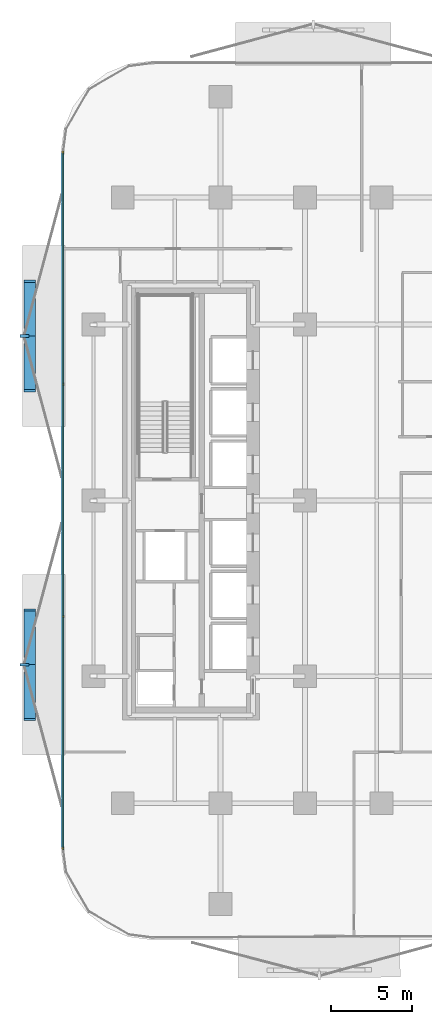
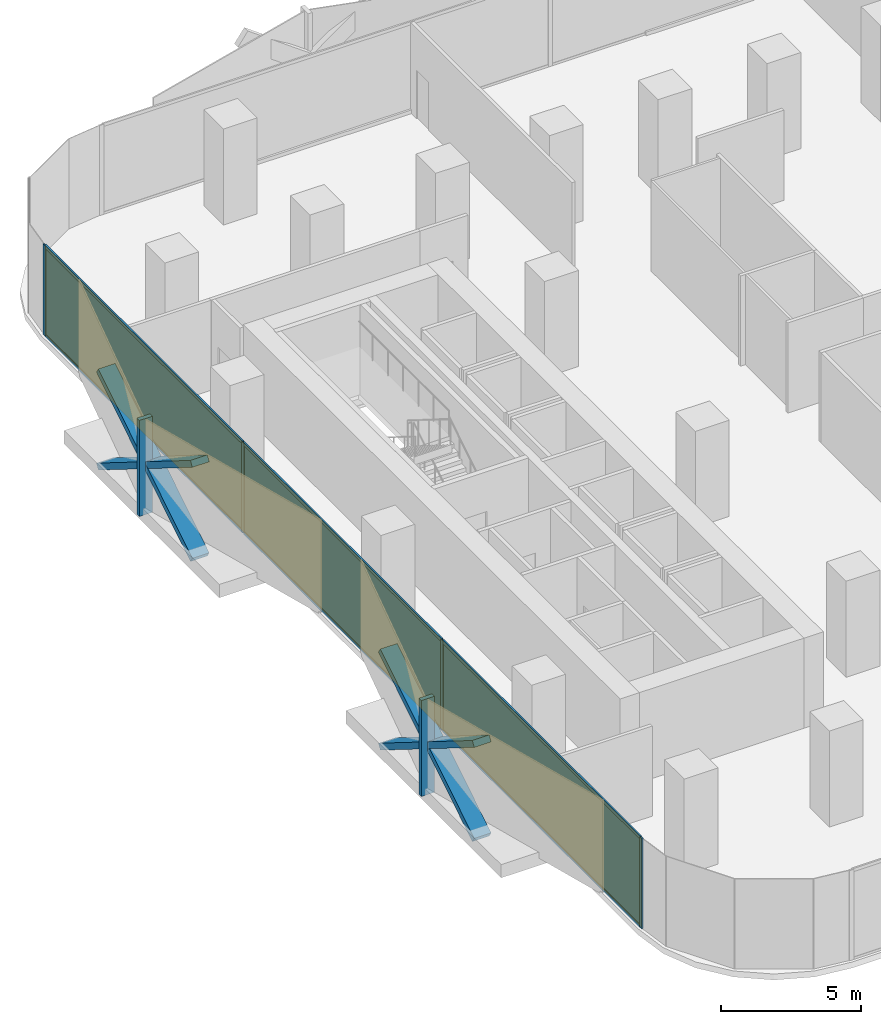
# One storey, part 9 of 16: 16 members, 3 plates, 1 curtain wall.
"""IFC4 building model written with IfcOpenShell, lengths in metres."""

from ifc_helpers import new_model, si_unit, direction, frame, frame_2d, origin, origin_2d, place, context, subcontext, project, spatial, rectangle, extrude, material, layer, layer_set, material_profile, profile_set, type_object, element, aggregate, save


model = new_model("IFC4")

# Units and contexts
model_context = context("Model", 3, precision=1e-05, world=origin(), true_north=direction((0.0, 1.0)))
body_context = subcontext(model_context, "Body", "Model", "MODEL_VIEW")
ifc_project = project(units=[si_unit("LENGTHUNIT", "METRE"), si_unit("AREAUNIT", "SQUARE_METRE"), si_unit("VOLUMEUNIT", "CUBIC_METRE"), si_unit("PLANEANGLEUNIT", "RADIAN"), si_unit("MASSUNIT", "GRAM", prefix="KILO")], contexts=[model_context])

# Member
ifc_material_1 = material(Name="Anodised Bronze Aluminium 6063-T6", Category="aluminium")
ifc_material_profile_1 = material_profile(ifc_material_1, rectangle(XDim=0.260009765625, YDim=0.699951171875, at=origin_2d()))
ifc_profile_set_1 = profile_set([ifc_material_profile_1], Name="Anodised Bronze Aluminium 6063-T6")
member_type_1 = type_object("IfcMemberType", Name="Bronze Diamond Solar-Screen Lattice Rib BDL-700", PredefinedType="MULLION", material=ifc_profile_set_1)
site_placement = place(None, origin())
building_placement = place(site_placement, origin())
storey_placement = place(building_placement, frame((0.0, 0.0, 42.800048828125)))
member_1_placement = place(storey_placement, frame((-26.10009765625, -13.46044921875, -0.130126953125), z_axis=(0.0, 0.84834908091, 0.529437283273), x_axis=(0.0, -0.529437283273, 0.84834908091)))
member_1 = element("IfcMember", 1, at=member_1_placement, type_object=member_type_1, Name="L10 Bronze Diamond Solar Screen Lattice Rib 35A", PredefinedType="MULLION", context=body_context, shape_type="SweptSolid", body=[
    extrude(rectangle(XDim=0.260009765625, YDim=0.699951171875, at=origin_2d()), origin(), (0.0, 0.0, 1.0), 7.933349609375),
])

member_2_placement = place(storey_placement, frame((-26.10009765625, -6.730224609375, -0.130126953125), z_axis=(0.0, -0.84834908091, 0.529437283273), x_axis=(0.0, 0.529437283273, 0.84834908091)))
member_2 = element("IfcMember", 2, at=member_2_placement, type_object=member_type_1, Name="L10 Bronze Diamond Solar Screen Lattice Rib 35B", PredefinedType="MULLION", context=body_context, shape_type="SweptSolid", body=[
    extrude(rectangle(XDim=0.260009765625, YDim=0.699951171875, at=origin_2d()), origin(), (0.0, 0.0, 1.0), 7.933349609375),
])

member_3_placement = place(storey_placement, frame((-26.10009765625, 6.730224609375, -0.130126953125), z_axis=(0.0, 0.84834908091, 0.529437283273), x_axis=(0.0, -0.529437283273, 0.84834908091)))
member_3 = element("IfcMember", 3, at=member_3_placement, type_object=member_type_1, Name="L10 Bronze Diamond Solar Screen Lattice Rib 36A", PredefinedType="MULLION", context=body_context, shape_type="SweptSolid", body=[
    extrude(rectangle(XDim=0.260009765625, YDim=0.699951171875, at=origin_2d()), origin(), (0.0, 0.0, 1.0), 7.933349609375),
])

member_4_placement = place(storey_placement, frame((-26.10009765625, 13.46044921875, -0.130126953125), z_axis=(0.0, -0.84834908091, 0.529437283273), x_axis=(0.0, 0.529437283273, 0.84834908091)))
member_4 = element("IfcMember", 4, at=member_4_placement, type_object=member_type_1, Name="L10 Bronze Diamond Solar Screen Lattice Rib 36B", PredefinedType="MULLION", context=body_context, shape_type="SweptSolid", body=[
    extrude(rectangle(XDim=0.260009765625, YDim=0.699951171875, at=origin_2d()), origin(), (0.0, 0.0, 1.0), 7.933349609375),
])

ifc_material_2 = material(Name="Anodised Bronze Aluminium 6063-T6", Category="aluminium")
ifc_material_profile_2 = material_profile(ifc_material_2, rectangle(XDim=0.179931640625, YDim=0.5400390625, at=origin_2d()))
ifc_profile_set_2 = profile_set([ifc_material_profile_2], Name="Anodised Bronze Aluminium 6063-T6")
member_type_2 = type_object("IfcMemberType", Name="Bronze Solar-Screen Vertical Fold Fin BSF-540", PredefinedType="MULLION", material=ifc_profile_set_2)
member_5_placement = place(storey_placement, frame((-26.43994140625, -10.095458984375, -0.130126953125), z_axis=(0.0, 0.0, 1.0), x_axis=(0.0, 1.0, 0.0)))
member_5 = element("IfcMember", 5, at=member_5_placement, type_object=member_type_2, Name="L10 Bronze Solar Screen Vertical Fin 35", PredefinedType="MULLION", context=body_context, shape_type="SweptSolid", body=[
    extrude(rectangle(XDim=0.179931640625, YDim=0.5400390625, at=origin_2d()), origin(), (0.0, 0.0, 1.0), 4.2001953125),
])

member_6_placement = place(storey_placement, frame((-26.43994140625, 10.095458984375, -0.130126953125), z_axis=(0.0, 0.0, 1.0), x_axis=(0.0, 1.0, 0.0)))
member_6 = element("IfcMember", 6, at=member_6_placement, type_object=member_type_2, Name="L10 Bronze Solar Screen Vertical Fin 36", PredefinedType="MULLION", context=body_context, shape_type="SweptSolid", body=[
    extrude(rectangle(XDim=0.179931640625, YDim=0.5400390625, at=origin_2d()), origin(), (0.0, 0.0, 1.0), 4.2001953125),
])

ifc_material_3 = material(Name="Anodised Bronze Aluminium 6063-T6", Category="aluminium")
ifc_material_profile_3 = material_profile(ifc_material_3, rectangle(XDim=0.06494140625, YDim=0.179931640625, at=origin_2d()))
ifc_profile_set_3 = profile_set([ifc_material_profile_3], Name="Anodised Bronze Aluminium 6063-T6")
member_type_3 = type_object("IfcMemberType", Name="CW-Z1 Mullion 65x180", PredefinedType="MULLION", material=ifc_profile_set_3)
member_7_placement = place(storey_placement, frame((-24.06005859375, -21.3583984375, 0.0), z_axis=(0.0, 0.0, 1.0), x_axis=(-1.0, 0.0, 0.0)))
member_7 = element("IfcMember", 7, at=member_7_placement, type_object=member_type_3, Name="CW-Z1 mullion 1", PredefinedType="MULLION", context=body_context, shape_type="SweptSolid", body=[
    extrude(rectangle(XDim=0.06494140625, YDim=0.179931640625, at=origin_2d()), origin(), (0.0, 0.0, 1.0), 3.93994140625),
])

member_8_placement = place(storey_placement, frame((-24.06005859375, -7.13037109375, 0.0), z_axis=(0.0, 0.0, 1.0), x_axis=(-1.0, 0.0, 0.0)))
member_8 = element("IfcMember", 8, at=member_8_placement, type_object=member_type_3, Name="CW-Z1 mullion 2", PredefinedType="MULLION", context=body_context, shape_type="SweptSolid", body=[
    extrude(rectangle(XDim=0.06494140625, YDim=0.179931640625, at=origin_2d()), origin(), (0.0, 0.0, 1.0), 3.93994140625),
])

member_9_placement = place(storey_placement, frame((-24.06005859375, 7.13037109375, 0.0), z_axis=(0.0, 0.0, 1.0), x_axis=(-1.0, 0.0, 0.0)))
member_9 = element("IfcMember", 9, at=member_9_placement, type_object=member_type_3, Name="CW-Z1 mullion 3", PredefinedType="MULLION", context=body_context, shape_type="SweptSolid", body=[
    extrude(rectangle(XDim=0.06494140625, YDim=0.179931640625, at=origin_2d()), origin(), (0.0, 0.0, 1.0), 3.93994140625),
])

member_10_placement = place(storey_placement, frame((-24.06005859375, 21.3583984375, 0.0), z_axis=(0.0, 0.0, 1.0), x_axis=(-1.0, 0.0, 0.0)))
member_10 = element("IfcMember", 10, at=member_10_placement, type_object=member_type_3, Name="CW-Z1 mullion 4", PredefinedType="MULLION", context=body_context, shape_type="SweptSolid", body=[
    extrude(rectangle(XDim=0.06494140625, YDim=0.179931640625, at=origin_2d()), origin(), (0.0, 0.0, 1.0), 3.93994140625),
])

ifc_material_4 = material(Name="Anodised Bronze Aluminium 6063-T6", Category="aluminium")
ifc_material_profile_4 = material_profile(ifc_material_4, rectangle(XDim=0.06494140625, YDim=0.139892578125, at=origin_2d()))
ifc_profile_set_4 = profile_set([ifc_material_profile_4], Name="Anodised Bronze Aluminium 6063-T6")
member_type_4 = type_object("IfcMemberType", Name="CW-Z1 Transom 65x140", PredefinedType="USERDEFINED", material=ifc_profile_set_4)
member_11_placement = place(storey_placement, frame((-24.06005859375, -21.32568359375, 0.032470703125), z_axis=(0.0, 1.0, 0.0), x_axis=(-1.0, 0.0, 0.0)))
member_11 = element("IfcMember", 11, at=member_11_placement, type_object=member_type_4, Name="CW-Z1 transom 1.1", ObjectType="TRANSOM", PredefinedType="USERDEFINED", context=body_context, shape_type="SweptSolid", body=[
    extrude(rectangle(XDim=0.06494140625, YDim=0.139892578125, at=origin_2d()), origin(), (0.0, 0.0, 1.0), 14.162841796875),
])

member_12_placement = place(storey_placement, frame((-24.06005859375, -21.32568359375, 3.907470703125), z_axis=(0.0, 1.0, 0.0), x_axis=(-1.0, 0.0, 0.0)))
member_12 = element("IfcMember", 12, at=member_12_placement, type_object=member_type_4, Name="CW-Z1 transom 1.2", ObjectType="TRANSOM", PredefinedType="USERDEFINED", context=body_context, shape_type="SweptSolid", body=[
    extrude(rectangle(XDim=0.06494140625, YDim=0.139892578125, at=origin_2d()), origin(), (0.0, 0.0, 1.0), 14.162841796875),
])

member_13_placement = place(storey_placement, frame((-24.06005859375, -7.09765625, 0.032470703125), z_axis=(0.0, 1.0, 0.0), x_axis=(-1.0, 0.0, 0.0)))
member_13 = element("IfcMember", 13, at=member_13_placement, type_object=member_type_4, Name="CW-Z1 transom 2.1", ObjectType="TRANSOM", PredefinedType="USERDEFINED", context=body_context, shape_type="SweptSolid", body=[
    extrude(rectangle(XDim=0.06494140625, YDim=0.139892578125, at=origin_2d()), origin(), (0.0, 0.0, 1.0), 14.1953125),
])

member_14_placement = place(storey_placement, frame((-24.06005859375, -7.09765625, 3.907470703125), z_axis=(0.0, 1.0, 0.0), x_axis=(-1.0, 0.0, 0.0)))
member_14 = element("IfcMember", 14, at=member_14_placement, type_object=member_type_4, Name="CW-Z1 transom 2.2", ObjectType="TRANSOM", PredefinedType="USERDEFINED", context=body_context, shape_type="SweptSolid", body=[
    extrude(rectangle(XDim=0.06494140625, YDim=0.139892578125, at=origin_2d()), origin(), (0.0, 0.0, 1.0), 14.1953125),
])

member_15_placement = place(storey_placement, frame((-24.06005859375, 7.162841796875, 0.032470703125), z_axis=(0.0, 1.0, 0.0), x_axis=(-1.0, 0.0, 0.0)))
member_15 = element("IfcMember", 15, at=member_15_placement, type_object=member_type_4, Name="CW-Z1 transom 3.1", ObjectType="TRANSOM", PredefinedType="USERDEFINED", context=body_context, shape_type="SweptSolid", body=[
    extrude(rectangle(XDim=0.06494140625, YDim=0.139892578125, at=origin_2d()), origin(), (0.0, 0.0, 1.0), 14.162841796875),
])

member_16_placement = place(storey_placement, frame((-24.06005859375, 7.162841796875, 3.907470703125), z_axis=(0.0, 1.0, 0.0), x_axis=(-1.0, 0.0, 0.0)))
member_16 = element("IfcMember", 16, at=member_16_placement, type_object=member_type_4, Name="CW-Z1 transom 3.2", ObjectType="TRANSOM", PredefinedType="USERDEFINED", context=body_context, shape_type="SweptSolid", body=[
    extrude(rectangle(XDim=0.06494140625, YDim=0.139892578125, at=origin_2d()), origin(), (0.0, 0.0, 1.0), 14.162841796875),
])

# Plate
ifc_material_5 = material(Name="Low-E Solar Control Laminated Glass", Category="glass")
ifc_layer_1 = layer(ifc_material_5, 0.028076171875, Name="Low-E Solar Control Laminated Glass")
ifc_layer_set_1 = layer_set([ifc_layer_1], Name="Low-E Solar Control Laminated Glass")
plate_type = type_object("IfcPlateType", Name="CW-Z1 Low-E Double Glazed Panel 28mm", PredefinedType="CURTAIN_PANEL", material=ifc_layer_set_1)
plate_1_placement = place(storey_placement, frame((-24.06005859375, -14.244384765625, 0.06494140625), z_axis=(0.0, 0.0, 1.0), x_axis=(0.0, 1.0, 0.0)))
plate_1 = element("IfcPlate", 17, at=plate_1_placement, type_object=plate_type, Name="CW-Z1 panel 1.1", PredefinedType="CURTAIN_PANEL", context=body_context, shape_type="SweptSolid", body=[
    extrude(rectangle(XDim=14.1630859375, YDim=0.028076171875, at=origin_2d()), origin(), (0.0, 0.0, 1.0), 3.81005859375),
])

plate_2_placement = place(storey_placement, frame((-24.06005859375, 0.0, 0.06494140625), z_axis=(0.0, 0.0, 1.0), x_axis=(0.0, 1.0, 0.0)))
plate_2 = element("IfcPlate", 18, at=plate_2_placement, type_object=plate_type, Name="CW-Z1 panel 2.1", PredefinedType="CURTAIN_PANEL", context=body_context, shape_type="SweptSolid", body=[
    extrude(rectangle(XDim=14.195556640625, YDim=0.028076171875, at=origin_2d()), origin(), (0.0, 0.0, 1.0), 3.81005859375),
])

plate_3_placement = place(storey_placement, frame((-24.06005859375, 14.244384765625, 0.06494140625), z_axis=(0.0, 0.0, 1.0), x_axis=(0.0, 1.0, 0.0)))
plate_3 = element("IfcPlate", 19, at=plate_3_placement, type_object=plate_type, Name="CW-Z1 panel 3.1", PredefinedType="CURTAIN_PANEL", context=body_context, shape_type="SweptSolid", body=[
    extrude(rectangle(XDim=14.1630859375, YDim=0.028076171875, at=origin_2d()), origin(), (0.0, 0.0, 1.0), 3.81005859375),
])

# Site, building, storey
site = spatial("IfcSite", under=ifc_project, at=site_placement, CompositionType="ELEMENT")
building = spatial("IfcBuilding", under=site, at=building_placement, Name="Khairoan Windgate Tower", CompositionType="ELEMENT")
storey = spatial("IfcBuildingStorey", under=building, at=storey_placement, Name="L10", CompositionType="ELEMENT", Elevation=42.800048828125)

# Curtain wall
ifc_material_6 = material(Name="Anodised Bronze Aluminium 6063-T6", Category="aluminium")
ifc_layer_2 = layer(ifc_material_6, 0.179931640625, Name="Anodised Bronze Aluminium 6063-T6")
ifc_layer_set_2 = layer_set([ifc_layer_2], Name="Anodised Bronze Aluminium 6063-T6")
curtain_wall_type = type_object("IfcCurtainWallType", Name="Low-Rise Office Unitised Curtain Wall CW-Z1", PredefinedType="NOTDEFINED", material=ifc_layer_set_2)
curtain_wall_placement = place(storey_placement, frame((-24.06005859375, -21.390869140625, 0.0), z_axis=(0.0, 0.0, 1.0), x_axis=(0.0, 1.0, 0.0)))
curtain_wall = element("IfcCurtainWall", 20, at=curtain_wall_placement, inside=storey, type_object=curtain_wall_type, Name="L10 Unitised Curtain Wall 6", PredefinedType="NOTDEFINED", context=body_context, shape_type="SweptSolid", body=[
    extrude(rectangle(XDim=42.78173828125, YDim=0.010009765625, at=frame_2d((21.390869140625, 0.0))), origin(), (0.0, 0.0, 1.0), 3.93994140625),
])

aggregate(curtain_wall, [member_7, member_8, member_9, member_10, member_11, member_12, plate_1, member_13, member_14, plate_2, member_15, member_16, plate_3, member_1, member_2, member_5, member_3, member_4, member_6])

save(model, "model.ifc")
